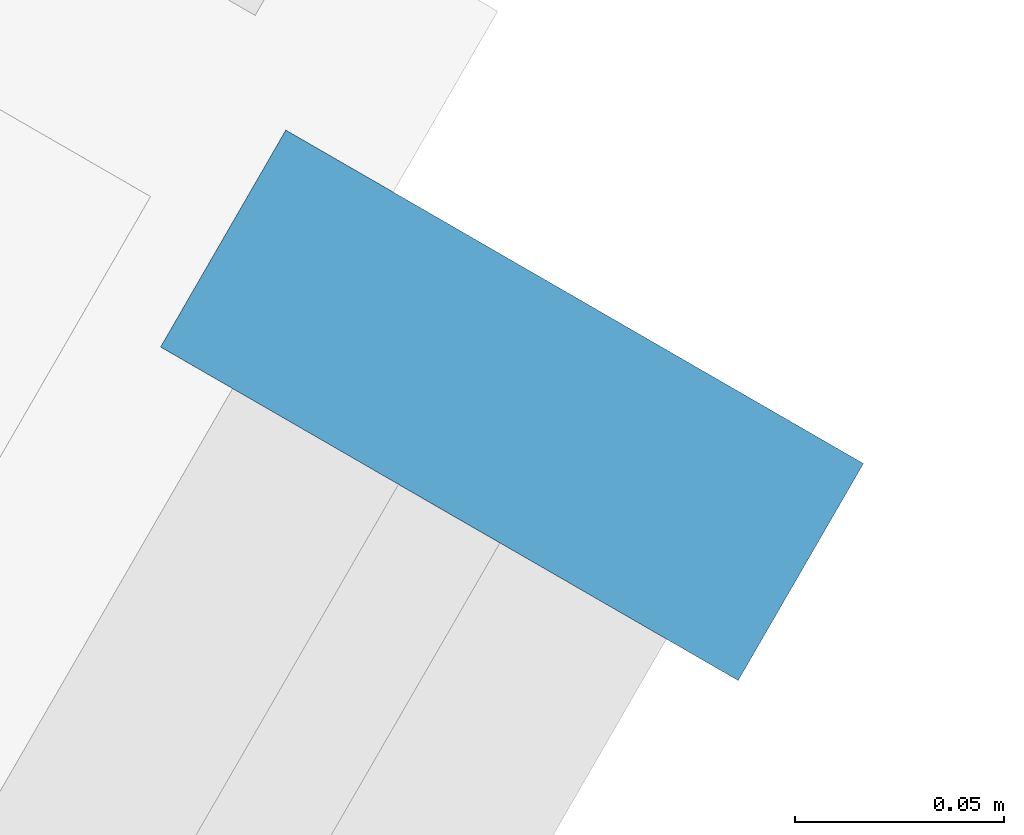
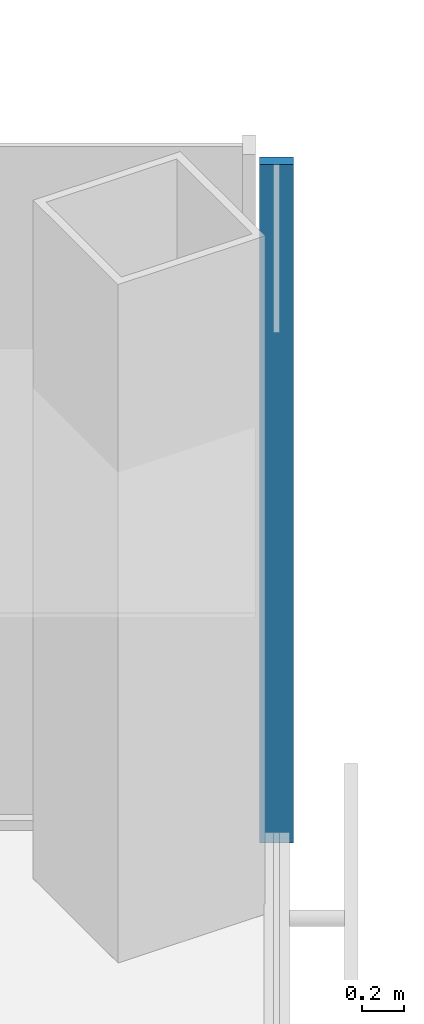
# One storey, part 9 of 19: 1 member, 1 element without a shape of its own.
"""IFC4 building model written with IfcOpenShell, lengths in metres."""

from ifc_helpers import new_model, si_unit, direction, frame, origin, origin_2d, place, context, subcontext, project, spatial, rectangle, extrude, material, material_profile, profile_set, type_object, element, aggregate, save


model = new_model("IFC4")

# Units and contexts
model_context = context("Model", 3, precision=1e-05, world=origin(), true_north=direction((0.0, 1.0)))
body_context = subcontext(model_context, "Body", "Model", "MODEL_VIEW")
ifc_project = project(units=[si_unit("LENGTHUNIT", "METRE"), si_unit("AREAUNIT", "SQUARE_METRE"), si_unit("VOLUMEUNIT", "CUBIC_METRE"), si_unit("PLANEANGLEUNIT", "RADIAN"), si_unit("MASSUNIT", "GRAM", prefix="KILO")], contexts=[model_context])

# Site, building, storey
site_placement = place(None, origin())
site = spatial("IfcSite", under=ifc_project, at=site_placement, CompositionType="ELEMENT")
building_placement = place(site_placement, origin())
building = spatial("IfcBuilding", under=site, at=building_placement, Name="Kasaneha Research Tower", CompositionType="ELEMENT")
storey_placement = place(building_placement, frame((0.0, 0.0, 104.10009765625)))
storey = spatial("IfcBuildingStorey", under=building, at=storey_placement, Name="L26", CompositionType="ELEMENT", Elevation=104.10009765625)

# Curtain wall, member
ifc_material_1 = material(Name="Glass and aluminium", Category="aluminium")
curtain_wall_type = type_object("IfcCurtainWallType", Name="Low-rise office curtain wall", PredefinedType="USERDEFINED", material=ifc_material_1)
curtain_wall_placement = place(storey_placement, origin())
curtain_wall = element("IfcCurtainWall", 1, at=curtain_wall_placement, inside=storey, type_object=curtain_wall_type, Name="CW-O1 L26 run 05a", ObjectType="UNITISED CURTAIN WALL", PredefinedType="USERDEFINED")
ifc_material_2 = material(Name="Aluminium 6063-T6", Category="aluminium")
ifc_material_profile = material_profile(ifc_material_2, rectangle(XDim=0.06005859375, YDim=0.159912109375, at=origin_2d()), Name="CW-O1 mullion 60x160")
ifc_profile_set = profile_set([ifc_material_profile], Name="Aluminium 6063-T6")
member_type = type_object("IfcMemberType", Name="CW-O1 mullion", PredefinedType="MULLION", material=ifc_profile_set)
member_placement = place(storey_placement, frame((32.012939453125, -6.39306640625, 0.0), z_axis=(0.0, 0.0, 1.0), x_axis=(0.500000011442, 0.866025397178, 0.0)))
member = element("IfcMember", 2, at=member_placement, type_object=member_type, Name="CW-O1 mullion 4", PredefinedType="MULLION", context=body_context, shape_type="SweptSolid", body=[
    extrude(rectangle(XDim=0.06005859375, YDim=0.159912109375, at=origin_2d()), origin(), (0.0, 0.0, 1.0), 3.89990234375),
])
aggregate(curtain_wall, [member])

save(model, "model.ifc")
